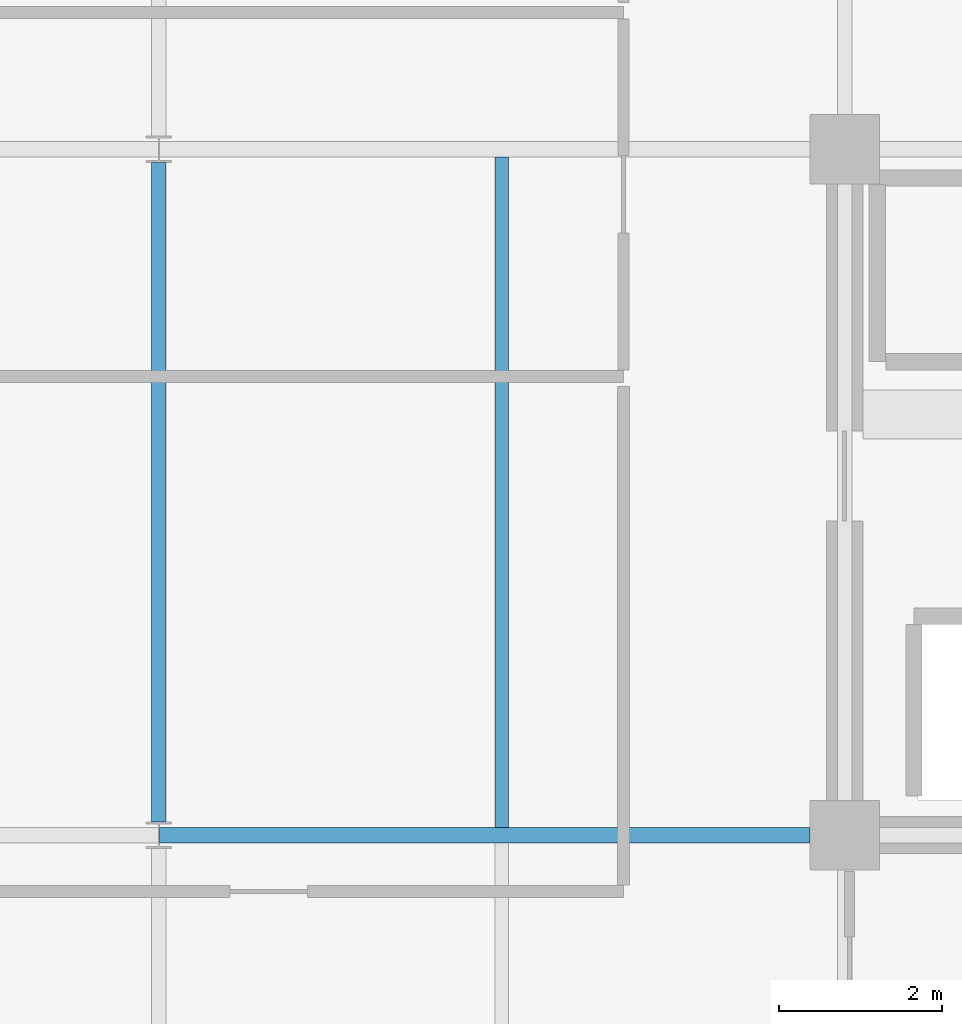
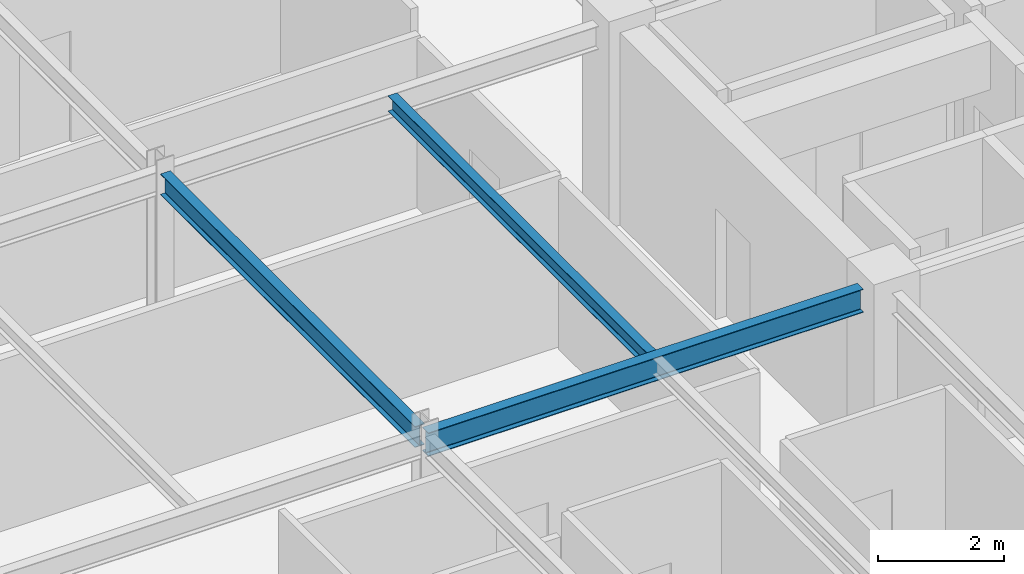
# One storey, part 6 of 24: 3 beams.
"""IFC4 building model written with IfcOpenShell, lengths in metres."""

from ifc_helpers import new_model, si_unit, direction, frame, origin, origin_2d, place, context, subcontext, project, spatial, i_section, extrude, material, material_profile, profile_set, type_object, element, save


model = new_model("IFC4")

# Units and contexts
model_context = context("Model", 3, precision=1e-05, world=origin(), true_north=direction((0.0, 1.0)))
body_context = subcontext(model_context, "Body", "Model", "MODEL_VIEW")
ifc_project = project(units=[si_unit("LENGTHUNIT", "METRE"), si_unit("AREAUNIT", "SQUARE_METRE"), si_unit("VOLUMEUNIT", "CUBIC_METRE"), si_unit("PLANEANGLEUNIT", "RADIAN"), si_unit("MASSUNIT", "GRAM", prefix="KILO")], contexts=[model_context])

# Site, building, storey
site_placement = place(None, origin())
site = spatial("IfcSite", under=ifc_project, at=site_placement, CompositionType="ELEMENT")
building_placement = place(site_placement, origin())
building = spatial("IfcBuilding", under=site, at=building_placement, Name="Nerrivon Quay Data Exchange", CompositionType="ELEMENT")
storey_placement = place(building_placement, frame((0.0, 0.0, 298.199951171875)))
storey = spatial("IfcBuildingStorey", under=building, at=storey_placement, Name="L71", CompositionType="ELEMENT", Elevation=298.199951171875)

# Beams
ifc_material = material(Name="Steel Grade 350", Category="steel")
ifc_material_profile_1 = material_profile(ifc_material, i_section(OverallWidth=0.18994140625, OverallDepth=0.4541015625, WebThickness=0.008544921875, FlangeThickness=0.0126953125, FilletRadius=0.011474609375, at=origin_2d()), Name="460UB67.1")
ifc_profile_set_1 = profile_set([ifc_material_profile_1], Name="Steel Grade 350")
beam_type_1 = type_object("IfcBeamType", Name="BM-G6-460UB67", PredefinedType="BEAM", material=ifc_profile_set_1)
beam_1_placement = place(storey_placement, frame((8.40771484375, 8.39990234375, 3.498046875), z_axis=(1.0, 0.0, 0.0), x_axis=(0.0, 1.0, 0.0)))
element("IfcBeam", 1, at=beam_1_placement, inside=storey, type_object=beam_type_1, Name="L71 EW Girder Y=8.4 (8.4..16.8)", PredefinedType="BEAM", context=body_context, shape_type="SweptSolid", body=[
    extrude(i_section(OverallWidth=0.18994140625, OverallDepth=0.4541015625, WebThickness=0.008544921875, FlangeThickness=0.0126953125, FilletRadius=0.011474609375, at=origin_2d()), origin(), (0.0, 0.0, 1.0), 7.96728515625),
])
ifc_material_profile_2 = material_profile(ifc_material, i_section(OverallWidth=0.177978515625, OverallDepth=0.406005859375, WebThickness=0.0078125, FlangeThickness=0.0126953125, FilletRadius=0.011474609375, at=origin_2d()), Name="410UB59.7")
ifc_profile_set_2 = profile_set([ifc_material_profile_2], Name="Steel Grade 350")
beam_type_2 = type_object("IfcBeamType", Name="BM-J1-410UB60", PredefinedType="JOIST", material=ifc_profile_set_2)
beam_2_placement = place(storey_placement, frame((8.39990234375, 8.5634765625, 3.52197265625), z_axis=(0.0, 1.0, 0.0), x_axis=(-1.0, 0.0, 0.0)))
element("IfcBeam", 2, at=beam_2_placement, inside=storey, type_object=beam_type_2, Name="L71 NS Girder X=8.4 (8.4..16.8)", PredefinedType="JOIST", context=body_context, shape_type="SweptSolid", body=[
    extrude(i_section(OverallWidth=0.177978515625, OverallDepth=0.406005859375, WebThickness=0.0078125, FlangeThickness=0.0126953125, FilletRadius=0.011474609375, at=origin_2d()), origin(), (0.0, 0.0, 1.0), 8.072998046875),
])
ifc_material_profile_3 = material_profile(ifc_material, i_section(OverallWidth=0.1650390625, OverallDepth=0.303955078125, WebThickness=0.006103515625, FlangeThickness=0.01025390625, FilletRadius=0.011474609375, at=origin_2d()), Name="310UB40.4")
ifc_profile_set_3 = profile_set([ifc_material_profile_3], Name="Steel Grade 350")
beam_type_3 = type_object("IfcBeamType", Name="BM-J6-310UB40", PredefinedType="JOIST", material=ifc_profile_set_3)
beam_3_placement = place(storey_placement, frame((12.60009765625, 8.4951171875, 3.572998046875), z_axis=(0.0, 1.0, 0.0), x_axis=(-1.0, 0.0, 0.0)))
element("IfcBeam", 3, at=beam_3_placement, inside=storey, type_object=beam_type_3, Name="L71 Secondary Joist X=12.6 (8.4..16.8)", PredefinedType="JOIST", context=body_context, shape_type="SweptSolid", body=[
    extrude(i_section(OverallWidth=0.1650390625, OverallDepth=0.303955078125, WebThickness=0.006103515625, FlangeThickness=0.01025390625, FilletRadius=0.011474609375, at=origin_2d()), origin(), (0.0, 0.0, 1.0), 8.2099609375),
])

save(model, "model.ifc")
